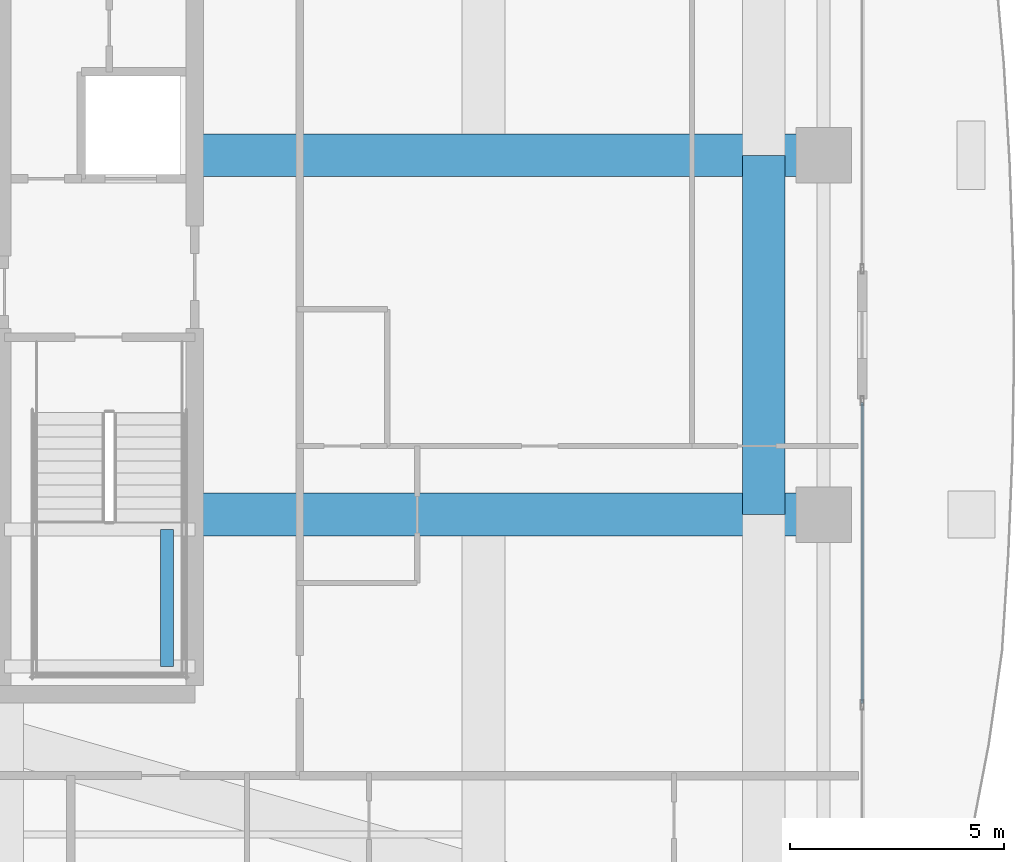
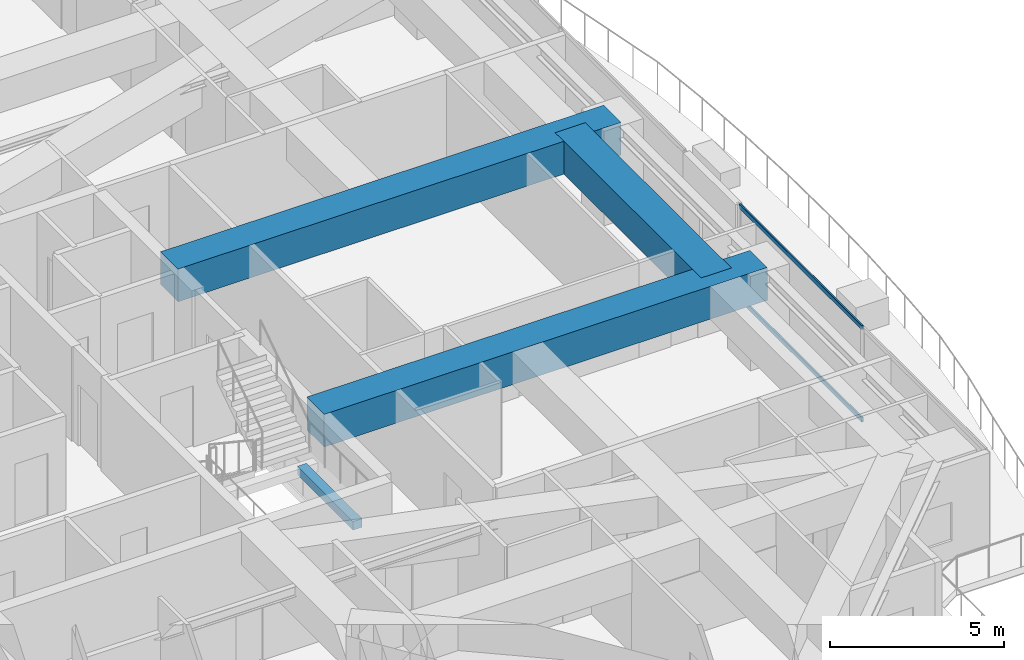
# One storey, part 12 of 32: 4 beams, 2 members, 1 element without a shape of its own.
"""IFC4 building model written with IfcOpenShell, lengths in metres."""

from ifc_helpers import new_model, si_unit, direction, frame, origin, origin_2d, place, context, subcontext, project, spatial, rectangle, hollow_rectangle, extrude, source, transform, mapped, material, layer, layer_set, material_profile, profile_set, type_object, element, aggregate, save


model = new_model("IFC4")

# Units and contexts
model_context = context("Model", 3, precision=1e-05, world=origin(), true_north=direction((0.0, 1.0)))
body_context = subcontext(model_context, "Body", "Model", "MODEL_VIEW")
ifc_project = project(units=[si_unit("LENGTHUNIT", "METRE"), si_unit("AREAUNIT", "SQUARE_METRE"), si_unit("VOLUMEUNIT", "CUBIC_METRE"), si_unit("PLANEANGLEUNIT", "RADIAN"), si_unit("MASSUNIT", "GRAM", prefix="KILO")], contexts=[model_context])

# Site, building, storey
site_placement = place(None, origin())
site = spatial("IfcSite", under=ifc_project, at=site_placement, CompositionType="ELEMENT")
building_placement = place(site_placement, origin())
building = spatial("IfcBuilding", under=site, at=building_placement, Name="Serunith Strait Residences", CompositionType="ELEMENT")
storey_placement = place(building_placement, frame((0.0, 0.0, 195.14990234375)))
storey = spatial("IfcBuildingStorey", under=building, at=storey_placement, Name="L49", CompositionType="ELEMENT", Elevation=195.14990234375)

# Beams
ifc_material_1 = material(Name="Concrete C80/95", Category="concrete")
ifc_material_profile_1 = material_profile(ifc_material_1, rectangle(XDim=1.0, YDim=1.14990234375, at=origin_2d()), Name="RC 1000x1150")
ifc_profile_set_1 = profile_set([ifc_material_profile_1], Name="Concrete C80/95")
beam_type_1 = type_object("IfcBeamType", Name="BM-XFER-1000x1150", PredefinedType="BEAM", material=ifc_profile_set_1)
shared_shape_1 = source(origin(), body_context, "Body", "SweptSolid", [
    extrude(rectangle(XDim=1.0, YDim=1.14990234375, at=origin_2d()), origin(), (0.0, 0.0, 1.0), 8.39990234375),
])
beam_1_placement = place(storey_placement, frame((54.699951171875, 21.0, 2.735107421875), z_axis=(0.0, 1.0, 0.0), x_axis=(-1.0, 0.0, 0.0)))
element("IfcBeam", 1, at=beam_1_placement, inside=storey, type_object=beam_type_1, Name="L49 Flare Upper Ring Transfer Girder 06", PredefinedType="BEAM", context=body_context, shape_type="MappedRepresentation", body=[
    mapped(shared_shape_1, transform((0.0, 0.0, 0.0), scale=1.0)),
])
shared_shape_2 = source(origin(), body_context, "Body", "SweptSolid", [
    extrude(rectangle(XDim=1.0, YDim=1.14990234375, at=origin_2d()), origin(), (0.0, 0.0, 1.0), 14.7001953125),
])
for number, where, z_axis, x_axis, name in (
    (2, (41.39990234375, 21.0, 2.735107421875), (1.0, 0.0, 0.0), (0.0, 1.0, 0.0), "L49 Primary Floor Girder TC-E2"),
    (3, (41.39990234375, 29.39990234375, 2.735107421875), (1.0, 0.0, 0.0), (0.0, 1.0, 0.0), "L49 Primary Floor Girder TC-E3"),
):
    element("IfcBeam", number, at=place(storey_placement, frame(where, z_axis=z_axis, x_axis=x_axis)), inside=storey, type_object=beam_type_1, Name=name, PredefinedType="BEAM", context=body_context, shape_type="MappedRepresentation", body=[
        mapped(shared_shape_2, transform((0.0, 0.0, 0.0), scale=1.0)),
    ])
ifc_material_2 = material(Name="Concrete C60/75", Category="concrete")
ifc_material_profile_2 = material_profile(ifc_material_2, rectangle(XDim=0.300048828125, YDim=0.300048828125, at=origin_2d()), Name="RC 300x300")
ifc_profile_set_2 = profile_set([ifc_material_profile_2], Name="Concrete C60/75")
beam_type_2 = type_object("IfcBeamType", Name="BM-LAND-300x300", PredefinedType="BEAM", material=ifc_profile_set_2)
shared_shape_3 = source(origin(), body_context, "Body", "SweptSolid", [
    extrude(rectangle(XDim=0.300048828125, YDim=0.300048828125, at=origin_2d()), origin(), (0.0, 0.0, 1.0), 3.199951171875),
])
beam_2_placement = place(storey_placement, frame((40.75, 17.449951171875, 1.525146484375), z_axis=(0.0, 1.0, 0.0), x_axis=(-1.0, 0.0, 0.0)))
element("IfcBeam", 4, at=beam_2_placement, inside=storey, type_object=beam_type_2, Name="L49 ST-2 Landing Transverse Tie Beam", PredefinedType="BEAM", context=body_context, shape_type="MappedRepresentation", body=[
    mapped(shared_shape_3, transform((0.0, 0.0, 0.0), scale=1.0)),
])

# Curtain wall, members
ifc_material_3 = material(Name="Pale-Silver PVDF Aluminium", Category="aluminium")
ifc_layer = layer(ifc_material_3, 0.199951171875, Name="Pale-Silver PVDF Aluminium")
ifc_layer_set = layer_set([ifc_layer], Name="Pale-Silver PVDF Aluminium")
curtain_wall_type = type_object("IfcCurtainWallType", Name="CW-SYS3", PredefinedType="NOTDEFINED", material=ifc_layer_set)
curtain_wall_placement = place(storey_placement, origin())
curtain_wall = element("IfcCurtainWall", 5, at=curtain_wall_placement, inside=storey, type_object=curtain_wall_type, Name="L49 E Unitised Fritted Curtain Wall", PredefinedType="NOTDEFINED")
ifc_material_profile_3 = material_profile(ifc_material_3, hollow_rectangle(XDim=0.06005859375, YDim=0.159912109375, WallThickness=0.00341796875, InnerFilletRadius=0.00537109375, OuterFilletRadius=0.0087890625, at=origin_2d()), Name="ALU 160x60x3.5")
ifc_profile_set_3 = profile_set([ifc_material_profile_3], Name="Pale-Silver PVDF Aluminium")
member_type = type_object("IfcMemberType", Name="CW-SYS3-TRAN", PredefinedType="USERDEFINED", material=ifc_profile_set_3)
shared_shape_4 = source(origin(), body_context, "Body", "SweptSolid", [
    extrude(hollow_rectangle(XDim=0.06005859375, YDim=0.159912109375, WallThickness=0.00341796875, InnerFilletRadius=0.00537109375, OuterFilletRadius=0.0087890625, at=origin_2d()), origin(), (0.0, 0.0, 1.0), 7.03759765625),
])
member_1_placement = place(storey_placement, frame((57.0, 16.58740234375, 0.030029296875), z_axis=(0.0, 1.0, 0.0), x_axis=(-1.0, 0.0, 0.0)))
member_1 = element("IfcMember", 6, at=member_1_placement, type_object=member_type, Name="CW-3 transom 2.1", ObjectType="TRANSOM", PredefinedType="USERDEFINED", context=body_context, shape_type="MappedRepresentation", body=[
    mapped(shared_shape_4, transform((0.0, 0.0, 0.0), scale=1.0)),
])
member_2_placement = place(storey_placement, frame((57.0, 16.58740234375, 3.26513671875), z_axis=(0.0, 1.0, 0.0), x_axis=(-1.0, 0.0, 0.0)))
member_2 = element("IfcMember", 7, at=member_2_placement, type_object=member_type, Name="CW-3 transom 2.2", ObjectType="TRANSOM", PredefinedType="USERDEFINED", context=body_context, shape_type="MappedRepresentation", body=[
    mapped(shared_shape_4, transform((0.0, 0.0, 0.0), scale=1.0)),
])
aggregate(curtain_wall, [member_1, member_2])

save(model, "model.ifc")
